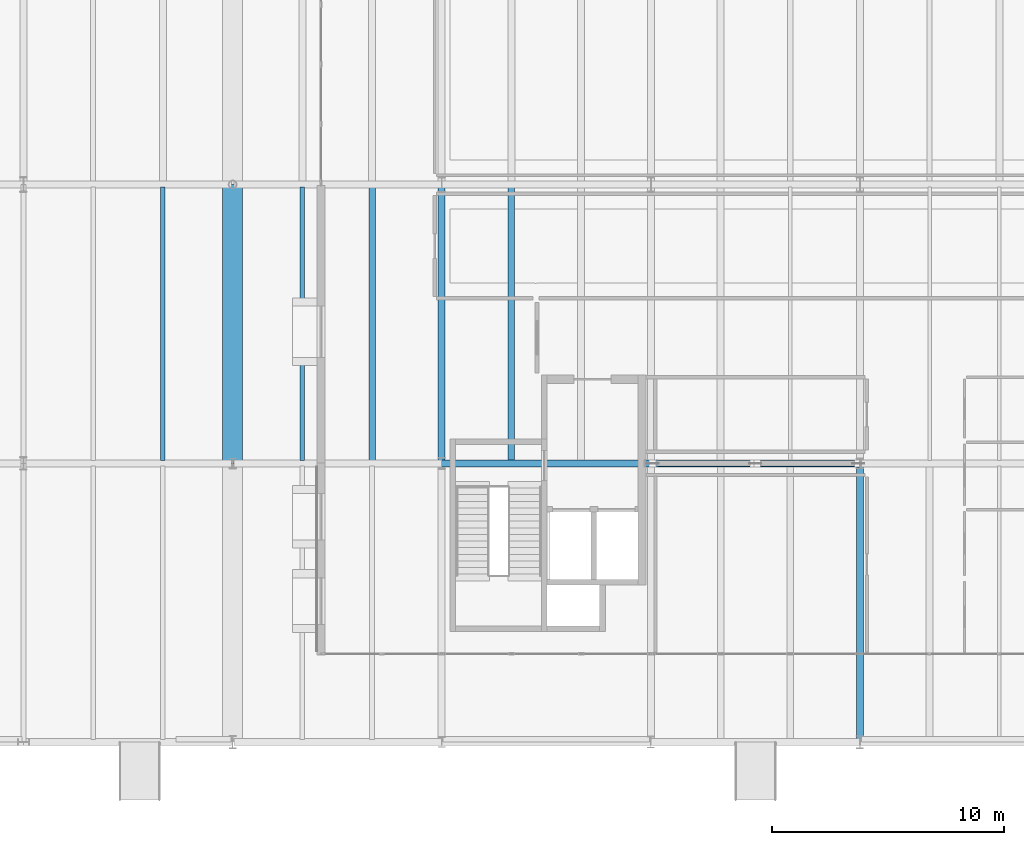
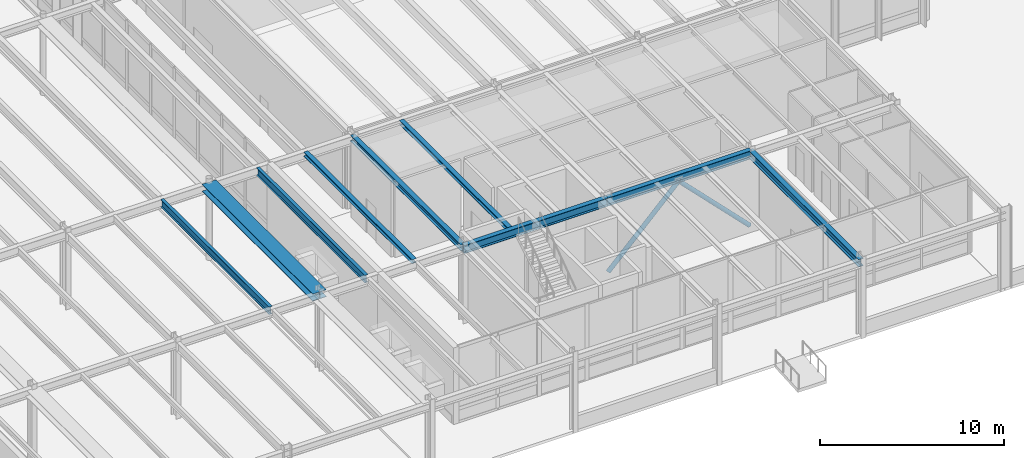
# One storey, part 37 of 143: 9 beams, 2 members.
"""IFC4 building model written with IfcOpenShell, lengths in metres."""

from ifc_helpers import new_model, si_unit, direction, frame, origin, origin_2d, place, context, subcontext, project, spatial, hollow_circle, i_section, extrude, material, material_profile, profile_set, type_object, element, save


model = new_model("IFC4")

# Units and contexts
model_context = context("Model", 3, precision=1e-05, world=origin(), true_north=direction((0.0, 1.0)))
body_context = subcontext(model_context, "Body", "Model", "MODEL_VIEW")
ifc_project = project(units=[si_unit("LENGTHUNIT", "METRE"), si_unit("AREAUNIT", "SQUARE_METRE"), si_unit("VOLUMEUNIT", "CUBIC_METRE"), si_unit("PLANEANGLEUNIT", "RADIAN"), si_unit("MASSUNIT", "GRAM", prefix="KILO")], contexts=[model_context])

# Site, building, storey
site_placement = place(None, origin())
site = spatial("IfcSite", under=ifc_project, at=site_placement, CompositionType="ELEMENT")
building_placement = place(site_placement, origin())
building = spatial("IfcBuilding", under=site, at=building_placement, Name="Montelvaro Courts of Justice", CompositionType="ELEMENT")
storey_placement = place(building_placement, origin())
storey = spatial("IfcBuildingStorey", under=building, at=storey_placement, Name="L00", CompositionType="ELEMENT", Elevation=0.0)

# Beams
ifc_material = material(Name="Steel S355", Category="steel")
ifc_material_profile_1 = material_profile(ifc_material, i_section(OverallWidth=0.280029296875, OverallDepth=0.27001953125, WebThickness=0.008056640625, FlangeThickness=0.012939453125, at=origin_2d()), Name="HEA 280")
ifc_profile_set_1 = profile_set([ifc_material_profile_1], Name="Steel S355")
beam_type_1 = type_object("IfcBeamType", Name="Beam_HEA280", PredefinedType="BEAM", material=ifc_profile_set_1)
for number, where, z_axis, x_axis, name in (
    (1, (105.0, 12.110107421875, 4.945068359375), (0.0, 1.0, 0.0), (-1.0, 0.0, 0.0), "Beam B-14 L00"),
    (2, (111.0, 12.110107421875, 4.945068359375), (0.0, 1.0, 0.0), (-1.0, 0.0, 0.0), "Beam B-14 L00"),
):
    element("IfcBeam", number, at=place(storey_placement, frame(where, z_axis=z_axis, x_axis=x_axis)), inside=storey, type_object=beam_type_1, Name=name, PredefinedType="BEAM", context=body_context, shape_type="SweptSolid", body=[
        extrude(i_section(OverallWidth=0.280029296875, OverallDepth=0.27001953125, WebThickness=0.008056640625, FlangeThickness=0.012939453125, at=origin_2d()), origin(), (0.0, 0.0, 1.0), 11.77978515625),
    ])
ifc_material_profile_2 = material_profile(ifc_material, i_section(OverallWidth=0.300048828125, OverallDepth=0.389892578125, WebThickness=0.010986328125, FlangeThickness=0.01904296875, at=origin_2d()), Name="HEA 400")
ifc_profile_set_2 = profile_set([ifc_material_profile_2], Name="Steel S355")
beam_type_2 = type_object("IfcBeamType", Name="Beam_HEA400", PredefinedType="USERDEFINED", material=ifc_profile_set_2)
beam_1_placement = place(storey_placement, frame((108.0, 12.0, 4.885009765625), z_axis=(0.0, 1.0, 0.0), x_axis=(-1.0, 0.0, 0.0)))
element("IfcBeam", 3, at=beam_1_placement, inside=storey, type_object=beam_type_2, Name="Beam B-17 L00", ObjectType="GIRDER", PredefinedType="USERDEFINED", context=body_context, shape_type="SweptSolid", body=[
    extrude(i_section(OverallWidth=0.300048828125, OverallDepth=0.389892578125, WebThickness=0.010986328125, FlangeThickness=0.01904296875, at=origin_2d()), origin(), (0.0, 0.0, 1.0), 12.0),
])
ifc_material_profile_3 = material_profile(ifc_material, i_section(OverallWidth=0.300048828125, OverallDepth=0.489990234375, WebThickness=0.011962890625, FlangeThickness=0.02294921875, at=origin_2d()), Name="HEA 500")
ifc_profile_set_3 = profile_set([ifc_material_profile_3], Name="Steel S355")
beam_type_3 = type_object("IfcBeamType", Name="Beam_HEA500", PredefinedType="USERDEFINED", material=ifc_profile_set_3)
beam_2_placement = place(storey_placement, frame((126.0, 0.0, 4.8349609375), z_axis=(0.0, 1.0, 0.0), x_axis=(-1.0, 0.0, 0.0)))
element("IfcBeam", 4, at=beam_2_placement, inside=storey, type_object=beam_type_3, Name="Beam B-19 L00", ObjectType="GIRDER", PredefinedType="USERDEFINED", context=body_context, shape_type="SweptSolid", body=[
    extrude(i_section(OverallWidth=0.300048828125, OverallDepth=0.489990234375, WebThickness=0.011962890625, FlangeThickness=0.02294921875, at=origin_2d()), origin(), (0.0, 0.0, 1.0), 12.0),
])
ifc_material_profile_4 = material_profile(ifc_material, i_section(OverallWidth=0.300048828125, OverallDepth=0.5400390625, WebThickness=0.012451171875, FlangeThickness=0.02392578125, at=origin_2d()), Name="HEA 550")
ifc_profile_set_4 = profile_set([ifc_material_profile_4], Name="Steel S355")
beam_type_4 = type_object("IfcBeamType", Name="Beam_HEA550", PredefinedType="USERDEFINED", material=ifc_profile_set_4)
for number, where, z_axis, x_axis, name in (
    (5, (108.0, 12.0, 4.81005859375), (1.0, 0.0, 0.0), (0.0, 1.0, 0.0), "Beam B-20 L00"),
    (6, (117.0, 12.0, 4.81005859375), (1.0, 0.0, 0.0), (0.0, 1.0, 0.0), "Beam B-20 L00"),
):
    element("IfcBeam", number, at=place(storey_placement, frame(where, z_axis=z_axis, x_axis=x_axis)), inside=storey, type_object=beam_type_4, Name=name, ObjectType="GIRDER", PredefinedType="USERDEFINED", context=body_context, shape_type="SweptSolid", body=[
        extrude(i_section(OverallWidth=0.300048828125, OverallDepth=0.5400390625, WebThickness=0.012451171875, FlangeThickness=0.02392578125, at=origin_2d()), origin(), (0.0, 0.0, 1.0), 9.0),
    ])
ifc_material_profile_5 = material_profile(ifc_material, i_section(OverallWidth=0.199951171875, OverallDepth=0.5, WebThickness=0.01025390625, FlangeThickness=0.01611328125, at=origin_2d()), Name="IPE 500")
ifc_profile_set_5 = profile_set([ifc_material_profile_5], Name="Steel S355")
beam_type_5 = type_object("IfcBeamType", Name="Beam_IPE500", PredefinedType="BEAM", material=ifc_profile_set_5)
for number, where, z_axis, x_axis, name in (
    (7, (96.0, 12.110107421875, 4.830078125), (0.0, 1.0, 0.0), (-1.0, 0.0, 0.0), "Beam B-10 L00"),
    (8, (102.0, 12.110107421875, 4.830078125), (0.0, 1.0, 0.0), (-1.0, 0.0, 0.0), "Beam B-10 L00"),
):
    element("IfcBeam", number, at=place(storey_placement, frame(where, z_axis=z_axis, x_axis=x_axis)), inside=storey, type_object=beam_type_5, Name=name, PredefinedType="BEAM", context=body_context, shape_type="SweptSolid", body=[
        extrude(i_section(OverallWidth=0.199951171875, OverallDepth=0.5, WebThickness=0.01025390625, FlangeThickness=0.01611328125, at=origin_2d()), origin(), (0.0, 0.0, 1.0), 11.77978515625),
    ])
ifc_material_profile_6 = material_profile(ifc_material, i_section(OverallWidth=0.860107421875, OverallDepth=0.47998046875, WebThickness=0.02001953125, FlangeThickness=0.031982421875, at=origin_2d()), Name="HL 480x860")
ifc_profile_set_6 = profile_set([ifc_material_profile_6], Name="Steel S355")
beam_type_6 = type_object("IfcBeamType", Name="Beam_MJSeat_860", PredefinedType="USERDEFINED", material=ifc_profile_set_6)
beam_3_placement = place(storey_placement, frame((99.0, 12.0, 4.840087890625), z_axis=(0.0, 1.0, 0.0), x_axis=(-1.0, 0.0, 0.0)))
element("IfcBeam", 9, at=beam_3_placement, inside=storey, type_object=beam_type_6, Name="Beam BC-01 L00", ObjectType="GIRDER", PredefinedType="USERDEFINED", context=body_context, shape_type="SweptSolid", body=[
    extrude(i_section(OverallWidth=0.860107421875, OverallDepth=0.47998046875, WebThickness=0.02001953125, FlangeThickness=0.031982421875, at=origin_2d()), origin(), (0.0, 0.0, 1.0), 12.0),
])

# Members
ifc_material_profile_7 = material_profile(ifc_material, hollow_circle(Radius=0.136474609375, WallThickness=0.012451171875, at=origin_2d()), Name="CHS 273x12.5")
ifc_profile_set_7 = profile_set([ifc_material_profile_7], Name="Steel S355")
member_type = type_object("IfcMemberType", Name="Mem_CHS273_Brace", PredefinedType="BRACE", material=ifc_profile_set_7)
for number, where, z_axis, x_axis, name in (
    (10, (117.080078125, 12.0, 0.080078125), (0.702319070398, 0.0, 0.71186229241), (0.0, 1.0, 0.0), "Lateral Braced Frame CBF2 Diagonal 1 (L00)"),
    (11, (125.919921875, 12.0, 0.080078125), (-0.702319070398, 0.0, 0.71186229241), (0.0, -1.0, 0.0), "Lateral Braced Frame CBF2 Diagonal 2 (L00)"),
):
    element("IfcMember", number, at=place(storey_placement, frame(where, z_axis=z_axis, x_axis=x_axis)), inside=storey, type_object=member_type, Name=name, PredefinedType="BRACE", context=body_context, shape_type="SweptSolid", body=[
        extrude(hollow_circle(Radius=0.136474609375, WallThickness=0.012451171875, at=origin_2d()), origin(), (0.0, 0.0, 1.0), 6.293212890625),
    ])

save(model, "model.ifc")
